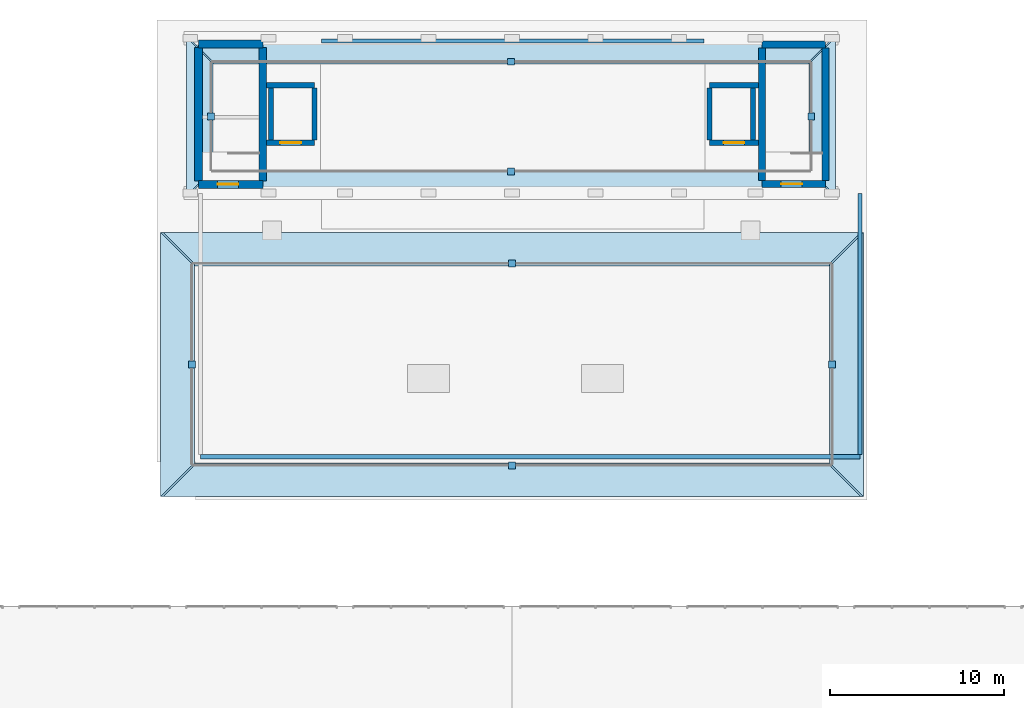
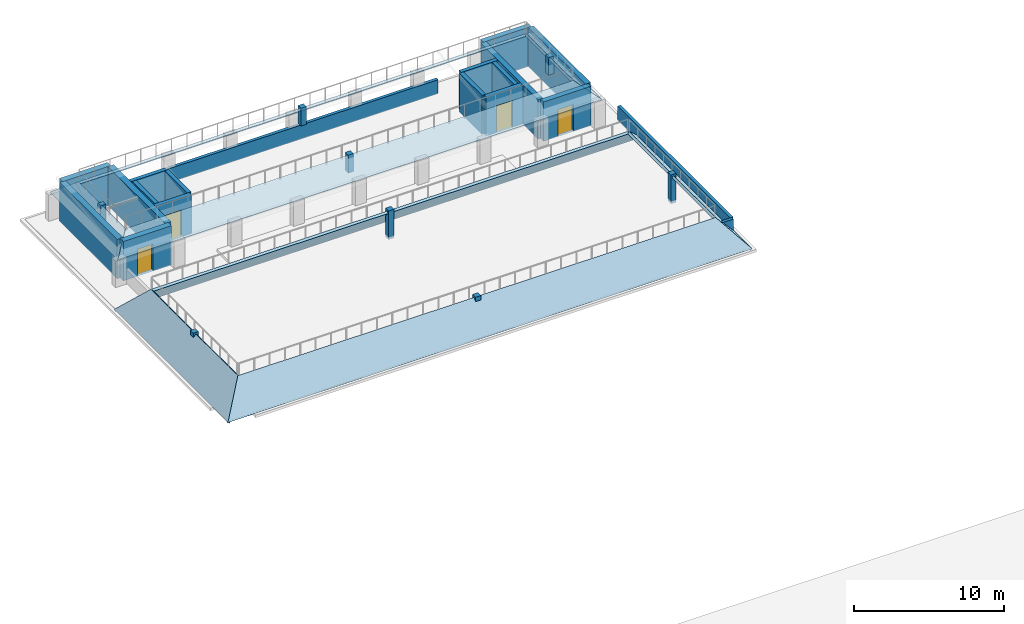
# One storey, part 17 of 18: 19 walls, 8 discrete accessories, 8 roofs, 4 doors, 4 openings.
"""IFC4 building model written with IfcOpenShell, lengths in metres."""

from ifc_helpers import new_model, si_unit, direction, frame, frame_2d, origin, origin_2d, place, context, subcontext, project, spatial, polyline, rectangle, outline, extrude, material, layer, layer_set, type_object, element, fill, save


model = new_model("IFC4")

# Units and contexts
model_context = context("Model", 3, precision=1e-05, world=origin(), true_north=direction((0.0, 1.0)))
body_context = subcontext(model_context, "Body", "Model", "MODEL_VIEW")
ifc_project = project(units=[si_unit("LENGTHUNIT", "METRE"), si_unit("AREAUNIT", "SQUARE_METRE"), si_unit("VOLUMEUNIT", "CUBIC_METRE"), si_unit("PLANEANGLEUNIT", "RADIAN"), si_unit("MASSUNIT", "GRAM", prefix="KILO")], contexts=[model_context])

# Site, building, storey
site_placement = place(None, origin())
site = spatial("IfcSite", under=ifc_project, at=site_placement, CompositionType="ELEMENT")
building_placement = place(site_placement, origin())
building = spatial("IfcBuilding", under=site, at=building_placement, Name="Bempovik Park Faculty of Sciences", CompositionType="ELEMENT")
storey_placement = place(building_placement, frame((0.0, 0.0, 50.10009765625)))
storey = spatial("IfcBuildingStorey", under=building, at=storey_placement, Name="Roof", CompositionType="ELEMENT", Elevation=50.10009765625)

# Wall, opening, door
ifc_material_1 = material(Name="Concrete C40/50", Category="concrete")
ifc_layer_1 = layer(ifc_material_1, 0.449951171875)
ifc_layer_set_1 = layer_set([ifc_layer_1], Name="Concrete C40/50")
wall_type_1 = type_object("IfcWallType", Name="W-15 Wall 450mm", PredefinedType="SHEAR", material=ifc_layer_set_1)
wall_1_placement = place(storey_placement, frame((70.77490234375, 111.14990234375, 0.0), z_axis=(0.0, 0.0, 1.0), x_axis=(1.0, 0.0, 0.0)))
wall_1 = element("IfcWall", 1, at=wall_1_placement, inside=storey, type_object=wall_type_1, Name="ST-1 Roof Core Shear Wall South", PredefinedType="SHEAR", context=body_context, shape_type="SweptSolid", body=[
    extrude(rectangle(XDim=3.7001953125, YDim=0.449951171875, at=frame_2d((1.85009765625, 0.0))), origin(), (0.0, 0.0, 1.0), 3.199951171875),
])
opening_1_placement = place(wall_1_placement, frame((1.10009765625, 0.0, 0.0)))
opening_1 = element("IfcOpeningElement", 2, at=opening_1_placement, cuts=wall_1, Name="Opening D-49", PredefinedType="OPENING", context=body_context, shape_type="SweptSolid", body=[
    extrude(rectangle(XDim=1.199951171875, YDim=2.199951171875, at=frame_2d((0.60009765625, 1.10009765625))), frame((0.0, 0.23486328125, 0.0), z_axis=(0.0, -1.0, 0.0), x_axis=(1.0, 0.0, 0.0)), (0.0, 0.0, 1.0), 0.469970703125),
])
ifc_material_2 = material(Name="Painted steel S355", Category="steel")
door_type_1 = type_object("IfcDoorType", Name="D-49 Door 1200x2200", OperationType="NOTDEFINED", PredefinedType="DOOR", material=ifc_material_2)
door_1_placement = place(opening_1_placement, origin())
door_1 = element("IfcDoor", 3, at=door_1_placement, inside=storey, type_object=door_type_1, Name="ST-1 Roof Protected Stair Smoke Door", OperationType="SINGLE_SWING_RIGHT", OverallHeight=2.199951171875, OverallWidth=1.199951171875, PredefinedType="DOOR", context=body_context, shape_type="SweptSolid", body=[
    extrude(rectangle(XDim=1.199951171875, YDim=2.199951171875, at=frame_2d((0.60009765625, 1.10009765625))), frame((0.0, 0.02490234375, 0.0), z_axis=(0.0, -1.0, 0.0), x_axis=(1.0, 0.0, 0.0)), (0.0, 0.0, 1.0), 0.050048828125),
])
fill(opening_1, door_1)

# Walls
for number, where, z_axis, x_axis, name in (
    (4, (70.77490234375, 111.35009765625, 0.0), (0.0, 0.0, 1.0), (0.0, 1.0, 0.0), "ST-1 Roof Core Shear Wall West"),
    (5, (74.47509765625, 111.35009765625, 0.0), (0.0, 0.0, 1.0), (0.0, 1.0, 0.0), "ST-1 Roof Core Shear Wall East"),
):
    element("IfcWall", number, at=place(storey_placement, frame(where, z_axis=z_axis, x_axis=x_axis)), inside=storey, type_object=wall_type_1, Name=name, PredefinedType="SHEAR", context=body_context, shape_type="SweptSolid", body=[
        extrude(rectangle(XDim=7.6748046875, YDim=0.449951171875, at=frame_2d((3.83740234375, 0.0))), origin(), (0.0, 0.0, 1.0), 3.199951171875),
    ])
wall_2_placement = place(storey_placement, frame((70.77490234375, 119.22509765625, 0.0), z_axis=(0.0, 0.0, 1.0), x_axis=(1.0, 0.0, 0.0)))
element("IfcWall", 6, at=wall_2_placement, inside=storey, type_object=wall_type_1, Name="ST-1 Roof Core Shear Wall North", PredefinedType="SHEAR", context=body_context, shape_type="SweptSolid", body=[
    extrude(rectangle(XDim=3.7001953125, YDim=0.449951171875, at=frame_2d((1.85009765625, 0.0))), origin(), (0.0, 0.0, 1.0), 3.199951171875),
])

# Wall, opening, door
ifc_layer_2 = layer(ifc_material_1, 0.300048828125)
ifc_layer_set_2 = layer_set([ifc_layer_2], Name="Concrete C40/50")
wall_type_2 = type_object("IfcWallType", Name="W-31 Wall 300mm", PredefinedType="SHEAR", material=ifc_layer_set_2)
wall_3_placement = place(storey_placement, frame((74.699951171875, 113.550048828125, 0.0), z_axis=(0.0, 0.0, 1.0), x_axis=(1.0, 0.0, 0.0)))
wall_3 = element("IfcWall", 7, at=wall_3_placement, inside=storey, type_object=wall_type_2, Name="Lift LF-1 Roof Shaft Wall South", PredefinedType="SHEAR", context=body_context, shape_type="SweptSolid", body=[
    extrude(rectangle(XDim=2.75, YDim=0.300048828125, at=frame_2d((1.375, 0.0))), origin(), (0.0, 0.0, 1.0), 3.199951171875),
])
opening_2_placement = place(wall_3_placement, frame((0.77490234375, 0.0, 0.0)))
opening_2 = element("IfcOpeningElement", 8, at=opening_2_placement, cuts=wall_3, Name="Opening LD-01", PredefinedType="OPENING", context=body_context, shape_type="SweptSolid", body=[
    extrude(rectangle(XDim=1.199951171875, YDim=2.199951171875, at=frame_2d((0.60009765625, 1.10009765625))), frame((0.0, 0.16015625, 0.0), z_axis=(0.0, -1.0, 0.0), x_axis=(1.0, 0.0, 0.0)), (0.0, 0.0, 1.0), 0.320068359375),
])
door_type_2 = type_object("IfcDoorType", Name="LD-01 Door 1200x2200", OperationType="NOTDEFINED", PredefinedType="DOOR", material=ifc_material_2)
door_2_placement = place(opening_2_placement, origin())
door_2 = element("IfcDoor", 9, at=door_2_placement, inside=storey, type_object=door_type_2, Name="Lift LF-1 Roof Sliding Landing Door", OperationType="SLIDING_TO_LEFT", OverallHeight=2.199951171875, OverallWidth=1.199951171875, PredefinedType="DOOR", context=body_context, shape_type="SweptSolid", body=[
    extrude(rectangle(XDim=1.199951171875, YDim=2.199951171875, at=frame_2d((0.60009765625, 1.10009765625))), frame((0.0, 0.02490234375, 0.0), z_axis=(0.0, -1.0, 0.0), x_axis=(1.0, 0.0, 0.0)), (0.0, 0.0, 1.0), 0.050048828125),
])
fill(opening_2, door_2)

# Walls
wall_4_placement = place(storey_placement, frame((74.699951171875, 116.85009765625, 0.0), z_axis=(0.0, 0.0, 1.0), x_axis=(1.0, 0.0, 0.0)))
element("IfcWall", 10, at=wall_4_placement, inside=storey, type_object=wall_type_2, Name="Lift LF-1 Roof Shaft Wall North", PredefinedType="SHEAR", context=body_context, shape_type="SweptSolid", body=[
    extrude(rectangle(XDim=2.75, YDim=0.300048828125, at=frame_2d((1.375, 0.0))), origin(), (0.0, 0.0, 1.0), 3.199951171875),
])
for number, where, z_axis, x_axis, name in (
    (11, (74.949951171875, 113.699951171875, 0.0), (0.0, 0.0, 1.0), (0.0, 1.0, 0.0), "Lift LF-1 Roof Shaft Wall West"),
    (12, (77.449951171875, 113.699951171875, 0.0), (0.0, 0.0, 1.0), (0.0, 1.0, 0.0), "Lift LF-1 Roof Shaft Wall East"),
):
    element("IfcWall", number, at=place(storey_placement, frame(where, z_axis=z_axis, x_axis=x_axis)), inside=storey, type_object=wall_type_2, Name=name, PredefinedType="SHEAR", context=body_context, shape_type="SweptSolid", body=[
        extrude(rectangle(XDim=3.0, YDim=0.300048828125, at=frame_2d((1.5, 0.0))), origin(), (0.0, 0.0, 1.0), 3.199951171875),
    ])

# Wall, opening, door
wall_5_placement = place(storey_placement, frame((100.14990234375, 113.550048828125, 0.0), z_axis=(0.0, 0.0, 1.0), x_axis=(1.0, 0.0, 0.0)))
wall_5 = element("IfcWall", 13, at=wall_5_placement, inside=storey, type_object=wall_type_2, Name="Lift LF-2 Roof Shaft Wall South", PredefinedType="SHEAR", context=body_context, shape_type="SweptSolid", body=[
    extrude(rectangle(XDim=2.8251953125, YDim=0.300048828125, at=frame_2d((1.41259765625, 0.0))), origin(), (0.0, 0.0, 1.0), 3.199951171875),
])
opening_3_placement = place(wall_5_placement, frame((0.8125, 0.0, 0.0)))
opening_3 = element("IfcOpeningElement", 14, at=opening_3_placement, cuts=wall_5, Name="Opening LD-01", PredefinedType="OPENING", context=body_context, shape_type="SweptSolid", body=[
    extrude(rectangle(XDim=1.199951171875, YDim=2.199951171875, at=frame_2d((0.60009765625, 1.10009765625))), frame((0.0, 0.16015625, 0.0), z_axis=(0.0, -1.0, 0.0), x_axis=(1.0, 0.0, 0.0)), (0.0, 0.0, 1.0), 0.320068359375),
])
door_3_placement = place(opening_3_placement, origin())
door_3 = element("IfcDoor", 15, at=door_3_placement, inside=storey, type_object=door_type_2, Name="Lift LF-2 Roof Sliding Landing Door", OperationType="SLIDING_TO_LEFT", OverallHeight=2.199951171875, OverallWidth=1.199951171875, PredefinedType="DOOR", context=body_context, shape_type="SweptSolid", body=[
    extrude(rectangle(XDim=1.199951171875, YDim=2.199951171875, at=frame_2d((0.60009765625, 1.10009765625))), frame((0.0, 0.02490234375, 0.0), z_axis=(0.0, -1.0, 0.0), x_axis=(1.0, 0.0, 0.0)), (0.0, 0.0, 1.0), 0.050048828125),
])
fill(opening_3, door_3)

# Walls
wall_6_placement = place(storey_placement, frame((100.14990234375, 116.85009765625, 0.0), z_axis=(0.0, 0.0, 1.0), x_axis=(1.0, 0.0, 0.0)))
element("IfcWall", 16, at=wall_6_placement, inside=storey, type_object=wall_type_2, Name="Lift LF-2 Roof Shaft Wall North", PredefinedType="SHEAR", context=body_context, shape_type="SweptSolid", body=[
    extrude(rectangle(XDim=2.8251953125, YDim=0.300048828125, at=frame_2d((1.41259765625, 0.0))), origin(), (0.0, 0.0, 1.0), 3.199951171875),
])
for number, where, z_axis, x_axis, name in (
    (17, (100.14990234375, 113.699951171875, 0.0), (0.0, 0.0, 1.0), (0.0, 1.0, 0.0), "Lift LF-2 Roof Shaft Wall West"),
    (18, (102.64990234375, 113.699951171875, 0.0), (0.0, 0.0, 1.0), (0.0, 1.0, 0.0), "Lift LF-2 Roof Shaft Wall East"),
):
    element("IfcWall", number, at=place(storey_placement, frame(where, z_axis=z_axis, x_axis=x_axis)), inside=storey, type_object=wall_type_2, Name=name, PredefinedType="SHEAR", context=body_context, shape_type="SweptSolid", body=[
        extrude(rectangle(XDim=3.0, YDim=0.300048828125, at=frame_2d((1.5, 0.0))), origin(), (0.0, 0.0, 1.0), 3.199951171875),
    ])
ifc_material_3 = material(Name="Precast concrete C40/50", Category="concrete")
ifc_layer_3 = layer(ifc_material_3, 0.239990234375)
ifc_layer_set_3 = layer_set([ifc_layer_3], Name="Precast concrete C40/50")
wall_type_3 = type_object("IfcWallType", Name="W-36 Wall 240mm", PredefinedType="PARAPET", material=ifc_layer_set_3)
wall_7_placement = place(storey_placement, frame((70.89990234375, 95.5, 0.0), z_axis=(0.0, 0.0, 1.0), x_axis=(1.0, 0.0, 0.0)))
element("IfcWall", 19, at=wall_7_placement, inside=storey, type_object=wall_type_3, Name="Roof Parapet PR-V5-S", PredefinedType="PARAPET", context=body_context, shape_type="SweptSolid", body=[
    extrude(rectangle(XDim=37.900146484375, YDim=0.239990234375, at=frame_2d((18.9501953125, 0.0))), origin(), (0.0, 0.0, 1.0), 1.14990234375),
])
wall_8_placement = place(storey_placement, frame((108.800048828125, 95.6201171875, 0.0), z_axis=(0.0, 0.0, 1.0), x_axis=(0.0, 1.0, 0.0)))
element("IfcWall", 20, at=wall_8_placement, inside=storey, type_object=wall_type_3, Name="Roof Parapet PR-V5-E", PredefinedType="PARAPET", context=body_context, shape_type="SweptSolid", body=[
    extrude(rectangle(XDim=15.009765625, YDim=0.239990234375, at=frame_2d((7.5048828125, 0.0))), origin(), (0.0, 0.0, 1.0), 1.14990234375),
])
wall_9_placement = place(storey_placement, frame((99.85009765625, 119.39990234375, 0.0), z_axis=(0.0, 0.0, 1.0), x_axis=(-1.0, 0.0, 0.0)))
element("IfcWall", 21, at=wall_9_placement, inside=storey, type_object=wall_type_3, Name="Roof Parapet PR-V5-N", PredefinedType="PARAPET", context=body_context, shape_type="SweptSolid", body=[
    extrude(rectangle(XDim=22.0, YDim=0.239990234375, at=frame_2d((11.0, 0.0))), origin(), (0.0, 0.0, 1.0), 1.14990234375),
])

# Wall, opening, door
ifc_layer_4 = layer(ifc_material_1, 0.39990234375)
ifc_layer_set_4 = layer_set([ifc_layer_4], Name="Concrete C40/50")
wall_type_4 = type_object("IfcWallType", Name="W-47 Wall 400mm", PredefinedType="SHEAR", material=ifc_layer_set_4)
wall_10_placement = place(storey_placement, frame((103.175048828125, 111.175048828125, 0.0), z_axis=(0.0, 0.0, 1.0), x_axis=(1.0, 0.0, 0.0)))
wall_10 = element("IfcWall", 22, at=wall_10_placement, inside=storey, type_object=wall_type_4, Name="ST-2 Roof Core Shear Wall South", PredefinedType="SHEAR", context=body_context, shape_type="SweptSolid", body=[
    extrude(rectangle(XDim=3.64990234375, YDim=0.39990234375, at=frame_2d((1.824951171875, 0.0))), origin(), (0.0, 0.0, 1.0), 3.199951171875),
])
opening_4_placement = place(wall_10_placement, frame((1.10009765625, 0.0, 0.0)))
opening_4 = element("IfcOpeningElement", 23, at=opening_4_placement, cuts=wall_10, Name="Opening D-49", PredefinedType="OPENING", context=body_context, shape_type="SweptSolid", body=[
    extrude(rectangle(XDim=1.199951171875, YDim=2.199951171875, at=frame_2d((0.60009765625, 1.10009765625))), frame((0.0, 0.2099609375, 0.0), z_axis=(0.0, -1.0, 0.0), x_axis=(1.0, 0.0, 0.0)), (0.0, 0.0, 1.0), 0.419921875),
])
door_4_placement = place(opening_4_placement, origin())
door_4 = element("IfcDoor", 24, at=door_4_placement, inside=storey, type_object=door_type_1, Name="ST-2 Roof Protected Stair Smoke Door", OperationType="SINGLE_SWING_RIGHT", OverallHeight=2.199951171875, OverallWidth=1.199951171875, PredefinedType="DOOR", context=body_context, shape_type="SweptSolid", body=[
    extrude(rectangle(XDim=1.199951171875, YDim=2.199951171875, at=frame_2d((0.60009765625, 1.10009765625))), frame((0.0, 0.02490234375, 0.0), z_axis=(0.0, -1.0, 0.0), x_axis=(1.0, 0.0, 0.0)), (0.0, 0.0, 1.0), 0.050048828125),
])
fill(opening_4, door_4)

# Walls
for number, where, z_axis, x_axis, name in (
    (25, (103.175048828125, 111.375, 0.0), (0.0, 0.0, 1.0), (0.0, 1.0, 0.0), "ST-2 Roof Core Shear Wall West"),
    (26, (106.824951171875, 111.375, 0.0), (0.0, 0.0, 1.0), (0.0, 1.0, 0.0), "ST-2 Roof Core Shear Wall East"),
):
    element("IfcWall", number, at=place(storey_placement, frame(where, z_axis=z_axis, x_axis=x_axis)), inside=storey, type_object=wall_type_4, Name=name, PredefinedType="SHEAR", context=body_context, shape_type="SweptSolid", body=[
        extrude(rectangle(XDim=7.625, YDim=0.39990234375, at=frame_2d((3.8125, 0.0))), origin(), (0.0, 0.0, 1.0), 3.199951171875),
    ])
wall_11_placement = place(storey_placement, frame((103.175048828125, 119.199951171875, 0.0), z_axis=(0.0, 0.0, 1.0), x_axis=(1.0, 0.0, 0.0)))
element("IfcWall", 27, at=wall_11_placement, inside=storey, type_object=wall_type_4, Name="ST-2 Roof Core Shear Wall North", PredefinedType="SHEAR", context=body_context, shape_type="SweptSolid", body=[
    extrude(rectangle(XDim=3.64990234375, YDim=0.39990234375, at=frame_2d((1.824951171875, 0.0))), origin(), (0.0, 0.0, 1.0), 3.199951171875),
])

# Roofs
ifc_layer_5 = layer(ifc_material_3, 0.179931640625)
ifc_layer_set_5 = layer_set([ifc_layer_5], Name="Precast concrete C40/50")
roof_type = type_object("IfcRoofType", Name="RF-02 Classical Slate Mansard Roof 180mm", PredefinedType="MANSARD_ROOF", material=ifc_layer_set_5)
roof_1_placement = place(storey_placement, frame((68.60009765625, 93.199951171875, -0.02001953125), z_axis=(0.0, -0.759225446755, 0.650827719907), x_axis=(1.0, 0.0, 0.0)))
element("IfcRoof", 28, at=roof_1_placement, inside=storey, type_object=roof_type, Name="Classical Beaux-Arts Mansard Roof V5SO-S", PredefinedType="MANSARD_ROOF", context=body_context, shape_type="SweptSolid", body=[
    extrude(outline(polyline([(0.0, 0.0), (40.39990234375, 0.0), (38.599853515625, 2.7657838980507607), (1.7998046875, 2.7657838980507607), (0.0, 0.0)])), origin(), (0.0, 0.0, -1.0), 0.179931640625),
])
roof_2_placement = place(storey_placement, frame((109.0, 108.39990234375, -0.02001953125), z_axis=(0.0, 0.759269064838, 0.650776833623), x_axis=(-1.0, 0.0, 0.0)))
element("IfcRoof", 29, at=roof_2_placement, inside=storey, type_object=roof_type, Name="Classical Beaux-Arts Mansard Roof V5SO-N", PredefinedType="MANSARD_ROOF", context=body_context, shape_type="SweptSolid", body=[
    extrude(outline(polyline([(0.0, 0.0), (40.39990234375, 0.0), (38.60009765625, 2.765625010775981), (1.800048828125, 2.765625010775981), (0.0, 0.0)])), origin(), (0.0, 0.0, -1.0), 0.179931640625),
])
roof_3_placement = place(storey_placement, frame((68.60009765625, 108.39990234375, -0.02001953125), z_axis=(-0.759269064838, 0.0, 0.650776833623), x_axis=(0.0, -1.0, 0.0)))
element("IfcRoof", 30, at=roof_3_placement, inside=storey, type_object=roof_type, Name="Classical Beaux-Arts Mansard Roof V5SO-W", PredefinedType="MANSARD_ROOF", context=body_context, shape_type="SweptSolid", body=[
    extrude(outline(polyline([(0.0, 0.0), (15.199951171875, 0.0), (13.39990234375, 2.7656250107759814), (1.7998046875, 2.7656250107759814), (0.0, 0.0)])), origin(), (0.0, 0.0, -1.0), 0.179931640625),
])
roof_4_placement = place(storey_placement, frame((109.0, 93.199951171875, -0.02001953125), z_axis=(0.759225446755, 0.0, 0.650827719907), x_axis=(0.0, 1.0, 0.0)))
element("IfcRoof", 31, at=roof_4_placement, inside=storey, type_object=roof_type, Name="Classical Beaux-Arts Mansard Roof V5SO-E", PredefinedType="MANSARD_ROOF", context=body_context, shape_type="SweptSolid", body=[
    extrude(outline(polyline([(0.0, 0.0), (15.199951171875, 0.0), (13.400146484375, 2.7657838980507607), (1.800048828125, 2.7657838980507607), (0.0, 0.0)])), origin(), (0.0, 0.0, -1.0), 0.179931640625),
])
roof_5_placement = place(storey_placement, frame((70.10009765625, 110.5, 2.219970703125), z_axis=(0.0, -0.650802277861, 0.759247255596), x_axis=(1.0, 0.0, 0.0)))
element("IfcRoof", 32, at=roof_5_placement, inside=storey, type_object=roof_type, Name="Classical Beaux-Arts Mansard Roof V5BELV-S", PredefinedType="MANSARD_ROOF", context=body_context, shape_type="SweptSolid", body=[
    extrude(outline(polyline([(0.0, 0.0), (37.2998046875, 0.0), (35.89990234375, 1.8438029685736295), (1.39990234375, 1.8438029685736295), (0.0, 0.0)])), origin(), (0.0, 0.0, -1.0), 0.179931640625),
])
roof_6_placement = place(storey_placement, frame((107.39990234375, 119.60009765625, 2.219970703125), z_axis=(0.0, 0.650736854897, 0.759303329163), x_axis=(-1.0, 0.0, 0.0)))
element("IfcRoof", 33, at=roof_6_placement, inside=storey, type_object=roof_type, Name="Classical Beaux-Arts Mansard Roof V5BELV-N", PredefinedType="MANSARD_ROOF", context=body_context, shape_type="SweptSolid", body=[
    extrude(outline(polyline([(0.0, 0.0), (37.2998046875, 0.0), (35.89990234375, 1.8439883385184024), (1.39990234375, 1.8439883385184024), (0.0, 0.0)])), origin(), (0.0, 0.0, -1.0), 0.179931640625),
])
roof_7_placement = place(storey_placement, frame((70.10009765625, 119.60009765625, 2.219970703125), z_axis=(-0.650802277861, 0.0, 0.759247255596), x_axis=(0.0, -1.0, 0.0)))
element("IfcRoof", 34, at=roof_7_placement, inside=storey, type_object=roof_type, Name="Classical Beaux-Arts Mansard Roof V5BELV-W", PredefinedType="MANSARD_ROOF", context=body_context, shape_type="SweptSolid", body=[
    extrude(outline(polyline([(0.0, 0.0), (9.10009765625, 0.0), (7.7001953125, 1.8438029685736295), (1.400146484375, 1.8438029685736295), (0.0, 0.0)])), origin(), (0.0, 0.0, -1.0), 0.179931640625),
])
roof_8_placement = place(storey_placement, frame((107.39990234375, 110.5, 2.219970703125), z_axis=(0.650802277861, 0.0, 0.759247255596), x_axis=(0.0, 1.0, 0.0)))
element("IfcRoof", 35, at=roof_8_placement, inside=storey, type_object=roof_type, Name="Classical Beaux-Arts Mansard Roof V5BELV-E", PredefinedType="MANSARD_ROOF", context=body_context, shape_type="SweptSolid", body=[
    extrude(outline(polyline([(0.0, 0.0), (9.10009765625, 0.0), (7.699951171875, 1.8438029685736295), (1.39990234375, 1.8438029685736295), (0.0, 0.0)])), origin(), (0.0, 0.0, -1.0), 0.179931640625),
])

# Discrete accessories
ifc_material_4 = material(Name="Steel S355", Category="steel")
ifc_layer_6 = layer(ifc_material_4, 0.14990234375)
ifc_layer_set_6 = layer_set([ifc_layer_6], Name="Steel S355")
discrete_accessory_type = type_object("IfcDiscreteAccessoryType", Name="BK-01 Facade Support Bracket", PredefinedType="BRACKET", material=ifc_layer_set_6)
for number, where, z_axis, x_axis, name in (
    (36, (88.800048828125, 95.0, -0.14013671875), (0.0, 0.0, 1.0), (1.0, 0.0, 0.0), "Mansard Attic Support Post V5SO-S"),
    (37, (88.800048828125, 106.60009765625, -0.14013671875), (0.0, 0.0, 1.0), (1.0, 0.0, 0.0), "Mansard Attic Support Post V5SO-N"),
    (38, (70.39990234375, 100.800048828125, -0.14013671875), (0.0, 0.0, 1.0), (1.0, 0.0, 0.0), "Mansard Attic Support Post V5SO-W"),
    (39, (107.199951171875, 100.800048828125, -0.14013671875), (0.0, 0.0, 1.0), (1.0, 0.0, 0.0), "Mansard Attic Support Post V5SO-E"),
):
    element("IfcDiscreteAccessory", number, at=place(storey_placement, frame(where, z_axis=z_axis, x_axis=x_axis)), inside=storey, type_object=discrete_accessory_type, Name=name, PredefinedType="BRACKET", context=body_context, shape_type="SweptSolid", body=[
        extrude(rectangle(XDim=0.39990234375, YDim=0.39990234375, at=origin_2d()), origin(), (0.0, 0.0, 1.0), 2.340087890625),
    ])
for number, where, z_axis, x_axis, name in (
    (40, (88.75, 111.89990234375, 2.099853515625), (0.0, 0.0, 1.0), (1.0, 0.0, 0.0), "Mansard Attic Support Post V5BELV-S"),
    (41, (88.75, 118.199951171875, 2.099853515625), (0.0, 0.0, 1.0), (1.0, 0.0, 0.0), "Mansard Attic Support Post V5BELV-N"),
    (42, (71.5, 115.050048828125, 2.099853515625), (0.0, 0.0, 1.0), (1.0, 0.0, 0.0), "Mansard Attic Support Post V5BELV-W"),
    (43, (106.0, 115.050048828125, 2.099853515625), (0.0, 0.0, 1.0), (1.0, 0.0, 0.0), "Mansard Attic Support Post V5BELV-E"),
):
    element("IfcDiscreteAccessory", number, at=place(storey_placement, frame(where, z_axis=z_axis, x_axis=x_axis)), inside=storey, type_object=discrete_accessory_type, Name=name, PredefinedType="BRACKET", context=body_context, shape_type="SweptSolid", body=[
        extrude(rectangle(XDim=0.39990234375, YDim=0.39990234375, at=origin_2d()), origin(), (0.0, 0.0, 1.0), 1.43994140625),
    ])

save(model, "model.ifc")
